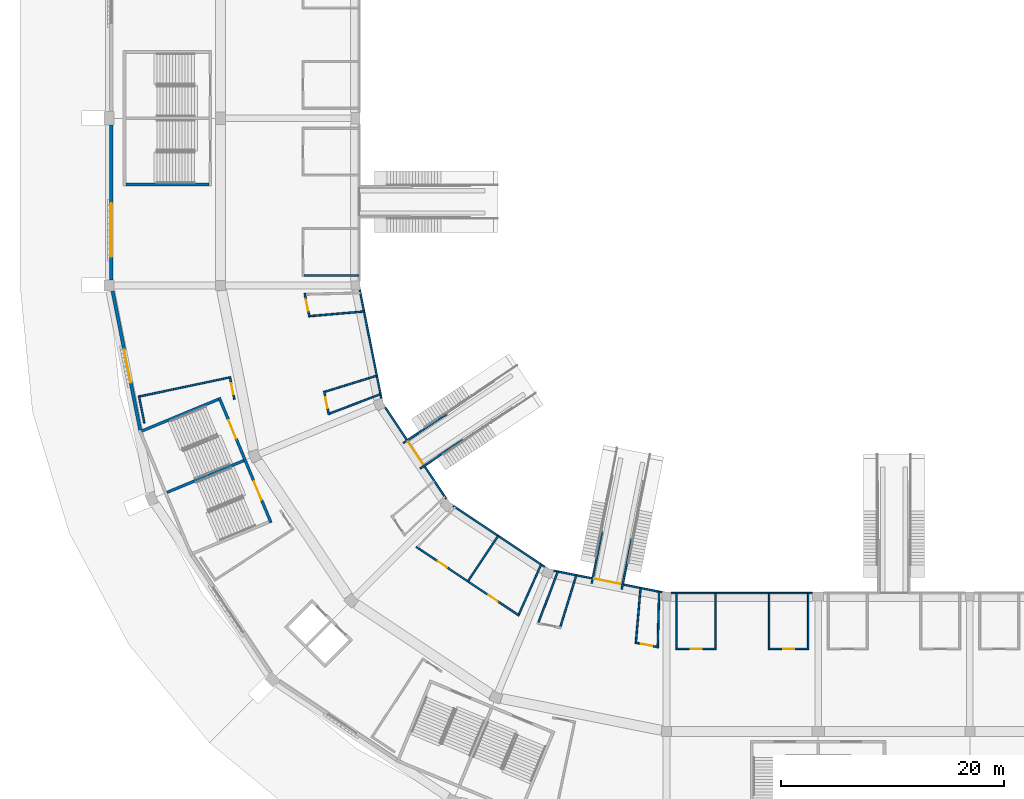
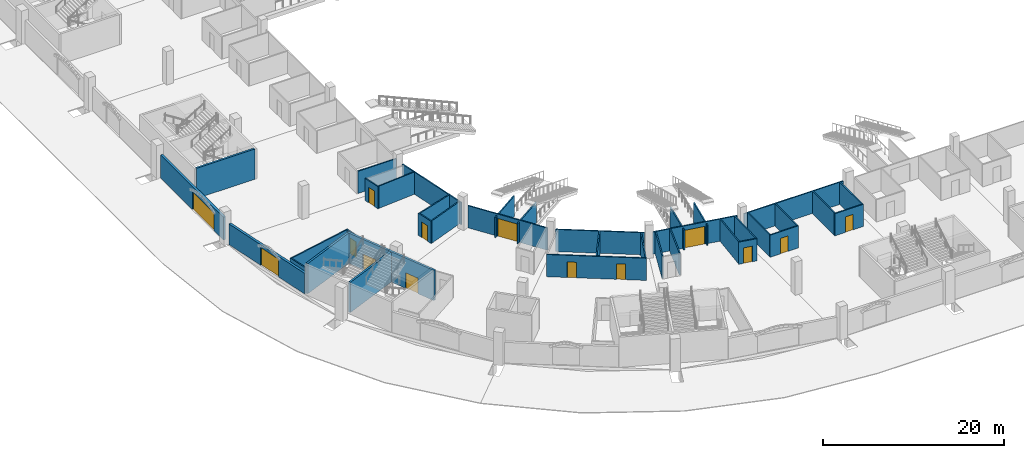
# One storey, part 26 of 175: 38 walls, 14 doors, 14 openings.
"""IFC4 building model written with IfcOpenShell, lengths in metres."""

import ifcopenshell
import ifcopenshell.guid

model = None  # the IFC model being written
_history = None  # IfcOwnerHistory: only IFC2X3 demands one
_inside = {}  # id of a spatial element -> (the spatial element, [elements in it])
_under = {}  # id of a project, library or spatial element -> (it, [spatial elements below it])
_declared = {}  # id of a project -> (the project, [libraries it declares])
_typed = {}  # id of a type object -> (the type object, [elements of that type])
_made_of = {}  # id of a material, layer set ... -> (it, [elements and type objects made of it])


def new_model(schema):
    """Start an empty IFC model of exactly this schema.

    Asked for "IFC4X3", IfcOpenShell would pick the latest addendum, in which some entities
    have other attributes; the version numbers below select the first issue.
    IFC2X3 requires an IfcOwnerHistory on every rooted entity: one is made here for all.
    """
    global model, _history
    if schema == "IFC4X3":
        model = ifcopenshell.file(schema_version=(4, 3, 0, 0))
    else:
        model = ifcopenshell.file(schema=schema)
    _inside.clear()
    _under.clear()
    _declared.clear()
    _typed.clear()
    _made_of.clear()
    _history = None
    if model.schema == "IFC2X3":
        org = make("IfcOrganization", Name="unknown")
        user = make(
            "IfcPersonAndOrganization",
            ThePerson=make("IfcPerson", FamilyName="unknown"),
            TheOrganization=org,
        )
        app = make(
            "IfcApplication",
            ApplicationDeveloper=org,
            Version="unknown",
            ApplicationFullName="unknown",
            ApplicationIdentifier="unknown",
        )
        _history = make(
            "IfcOwnerHistory",
            OwningUser=user,
            OwningApplication=app,
            ChangeAction="ADDED",
            CreationDate=0,
        )
    return model


def make(cls, **values):
    """One entity of the class cls with the attributes given. An attribute that is None is left unset."""
    return model.create_entity(
        cls, **{name: value for name, value in values.items() if value is not None}
    )


def rooted(cls, **values):
    """An entity with a GlobalId (a new one), such as an element, a storey or a relation."""
    return make(cls, GlobalId=ifcopenshell.guid.new(), OwnerHistory=_history, **values)


def si_unit(unit_type, name, prefix=None):
    """IfcSIUnit, for example si_unit("LENGTHUNIT", "METRE", prefix="MILLI")."""
    return make("IfcSIUnit", UnitType=unit_type, Prefix=prefix, Name=name)


def assignment(units):
    """IfcUnitAssignment: the units of a project."""
    return None if units is None else make("IfcUnitAssignment", Units=units)


def point(xyz):
    """IfcCartesianPoint."""
    return None if xyz is None else make("IfcCartesianPoint", Coordinates=xyz)


def direction(xyz):
    """IfcDirection."""
    return None if xyz is None else make("IfcDirection", DirectionRatios=xyz)


def frame(location, z_axis=None, x_axis=None):
    """IfcAxis2Placement3D, a coordinate frame: its origin and axes. An axis left out is left unset."""
    return make(
        "IfcAxis2Placement3D",
        Location=point(location),
        Axis=direction(z_axis),
        RefDirection=direction(x_axis),
    )


def frame_2d(location, x_axis=None):
    """IfcAxis2Placement2D, a coordinate frame in the plane: its origin and x axis."""
    return make(
        "IfcAxis2Placement2D", Location=point(location), RefDirection=direction(x_axis)
    )


def origin():
    """The frame at (0, 0, 0) with its axes left unset."""
    return frame((0.0, 0.0, 0.0))


def place(relative_to, where):
    """IfcLocalPlacement: puts the frame where relative to a parent placement (None: the world)."""
    return make(
        "IfcLocalPlacement", PlacementRelTo=relative_to, RelativePlacement=where
    )


def context(
    kind, dimensions, precision=None, world=None, true_north=None, identifier=None
):
    """IfcGeometricRepresentationContext, for example the 3D "Model" context."""
    return make(
        "IfcGeometricRepresentationContext",
        ContextIdentifier=identifier,
        ContextType=kind,
        CoordinateSpaceDimension=dimensions,
        Precision=precision,
        WorldCoordinateSystem=world,
        TrueNorth=true_north,
    )


def subcontext(parent, identifier, kind, view, scale=None):
    """IfcGeometricRepresentationSubContext, for example "Body" below "Model"."""
    return make(
        "IfcGeometricRepresentationSubContext",
        ContextIdentifier=identifier,
        ContextType=kind,
        ParentContext=parent,
        TargetScale=scale,
        TargetView=view,
    )


def project(units=None, contexts=None):
    """IfcProject with its units and contexts."""
    return rooted(
        "IfcProject",
        Name="project",
        RepresentationContexts=contexts,
        UnitsInContext=assignment(units),
    )


def spatial(cls, under=None, at=None, **own):
    """A site, building, storey or space (cls), placed at a placement, below another one or the project."""
    s = rooted(cls, ObjectPlacement=at, **own)
    if under is not None:
        _under.setdefault(under.id(), (under, []))[1].append(s)
    return s


def profile(cls, at=None, kind="AREA", **sizes):
    """A parametric profile (cls). Its sizes go by their IFC names, for example OverallWidth=200.0."""
    return make(cls, ProfileType=kind, Position=at, **sizes)


def rectangle(**sizes):
    """IfcRectangleProfileDef."""
    return profile("IfcRectangleProfileDef", **sizes)


def extrude(swept, where, along, depth):
    """IfcExtrudedAreaSolid: the profile swept, set in the frame where, extruded along a direction by depth."""
    return make(
        "IfcExtrudedAreaSolid",
        SweptArea=swept,
        Position=where,
        ExtrudedDirection=direction(along),
        Depth=depth,
    )


def shape(context_of_items, identifier, shape_type, items):
    """IfcShapeRepresentation: the items that make up one representation, for example the "Body"."""
    return make(
        "IfcShapeRepresentation",
        ContextOfItems=context_of_items,
        RepresentationIdentifier=identifier,
        RepresentationType=shape_type,
        Items=items,
    )


def material(Name=None, Category=None):
    """IfcMaterial."""
    return make("IfcMaterial", Name=Name, Category=Category)


def layer(
    of_material, thickness, ventilated=None, Name=None, Category=None, Priority=None
):
    """IfcMaterialLayer: one layer of a wall or slab, of a material (None: an air gap)."""
    return make(
        "IfcMaterialLayer",
        Material=of_material,
        LayerThickness=thickness,
        IsVentilated=ventilated,
        Name=Name,
        Category=Category,
        Priority=Priority,
    )


def layer_set(layers, Name=None):
    """IfcMaterialLayerSet."""
    return make("IfcMaterialLayerSet", MaterialLayers=layers, LayerSetName=Name)


def made_of(thing, what):
    """Note that an element or type object is made of a material, layer set ...; save() writes the relation."""
    if what is not None:
        _made_of.setdefault(what.id(), (what, []))[1].append(thing)
    return thing


def type_object(cls, material=None, **own):
    """A type object (cls), such as IfcWallType, which elements share."""
    return made_of(rooted(cls, **own), material)


def element(
    cls,
    number,
    at=None,
    inside=None,
    cuts=None,
    type_object=None,
    material=None,
    context=None,
    identifier="Body",
    shape_type=None,
    held_by="IfcProductDefinitionShape",
    body=None,
    shapes=None,
    **own,
):
    """One element of the class cls, such as IfcWall. Its Tag is "e" and its number.

    at: its placement. inside: the storey or other place that contains it. cuts: it is an
    opening in that element (IfcRelVoidsElement). A single representation is given by context,
    identifier, shape_type and body (its items); several are given by shapes. held_by: the class
    of the entity that holds the representations. save() writes the other relations.
    """
    e = rooted(cls, Tag="e%d" % number, ObjectPlacement=at, **own)
    if body is not None:
        shapes = [shape(context, identifier, shape_type, body)]
    if shapes is not None:
        e.Representation = make(held_by, Representations=shapes)
    if inside is not None:
        _inside.setdefault(inside.id(), (inside, []))[1].append(e)
    if cuts is not None:
        rooted(
            "IfcRelVoidsElement", RelatingBuildingElement=cuts, RelatedOpeningElement=e
        )
    if type_object is not None:
        _typed.setdefault(type_object.id(), (type_object, []))[1].append(e)
    return made_of(e, material)


def fill(opening, filler):
    """IfcRelFillsElement: the door or window that sits in an opening."""
    return rooted(
        "IfcRelFillsElement",
        RelatingOpeningElement=opening,
        RelatedBuildingElement=filler,
    )


def aggregate(whole, parts):
    """IfcRelAggregates: a whole, such as a stair, and the parts it consists of."""
    return rooted("IfcRelAggregates", RelatingObject=whole, RelatedObjects=parts)


def save(model, path):
    """Write the relations noted so far, then the file.

    IfcRelAggregates (storeys below a building ...), IfcRelContainedInSpatialStructure (elements
    in a storey), IfcRelDefinesByType, IfcRelAssociatesMaterial and IfcRelDeclares: one each for
    every whole, place, type object, material and project.
    """
    for whole, parts in _under.values():
        aggregate(whole, parts)
    for where, things in _inside.values():
        rooted(
            "IfcRelContainedInSpatialStructure",
            RelatedElements=things,
            RelatingStructure=where,
        )
    for kind, things in _typed.values():
        rooted("IfcRelDefinesByType", RelatedObjects=things, RelatingType=kind)
    for what, things in _made_of.values():
        rooted("IfcRelAssociatesMaterial", RelatedObjects=things, RelatingMaterial=what)
    for by, libraries in _declared.values():
        rooted("IfcRelDeclares", RelatingContext=by, RelatedDefinitions=libraries)
    model.write(path)


model = new_model("IFC4")

# Units and contexts
model_context = context("Model", 3, precision=1e-05, world=origin(), true_north=direction((0.0, 1.0)))
body_context = subcontext(model_context, "Body", "Model", "MODEL_VIEW")
ifc_project = project(units=[si_unit("LENGTHUNIT", "METRE"), si_unit("AREAUNIT", "SQUARE_METRE"), si_unit("VOLUMEUNIT", "CUBIC_METRE"), si_unit("PLANEANGLEUNIT", "RADIAN"), si_unit("MASSUNIT", "GRAM", prefix="KILO")], contexts=[model_context])

# Site, building, storey
site_placement = place(None, origin())
site = spatial("IfcSite", under=ifc_project, at=site_placement, CompositionType="ELEMENT")
building_placement = place(site_placement, origin())
building = spatial("IfcBuilding", under=site, at=building_placement, Name="Ogive Plaza Stadium", CompositionType="ELEMENT")
storey_placement = place(building_placement, origin())
storey = spatial("IfcBuildingStorey", under=building, at=storey_placement, Name="L00", CompositionType="ELEMENT", Elevation=0.0)

# Wall, opening, door
ifc_material_1 = material(Name="Masonry blockwork", Category="masonry")
ifc_layer_1 = layer(ifc_material_1, 0.14990234375)
ifc_layer_set_1 = layer_set([ifc_layer_1], Name="Blockwork wall 150")
wall_type_1 = type_object("IfcWallType", Name="Blockwork wall 150", PredefinedType="SOLIDWALL", material=ifc_layer_set_1)
wall_1_placement = place(storey_placement, frame((-21.22509765625, -85.10009765625, 0.0), z_axis=(0.0, 0.0, 1.0), x_axis=(-1.0, 0.0, 0.0)))
wall_1 = element("IfcWall", 1, at=wall_1_placement, inside=storey, type_object=wall_type_1, Name="Wall L00 B16", PredefinedType="SOLIDWALL", context=body_context, shape_type="SweptSolid", body=[
    extrude(rectangle(XDim=3.64990234375, YDim=0.14990234375, at=frame_2d((1.824951171875, 0.0))), origin(), (0.0, 0.0, 1.0), 3.0),
])
opening_1_placement = place(wall_1_placement, frame((1.324951171875, 0.0, 0.0)))
opening_1 = element("IfcOpeningElement", 2, at=opening_1_placement, cuts=wall_1, Name="Opening D0409", PredefinedType="OPENING", context=body_context, shape_type="SweptSolid", body=[
    extrude(rectangle(XDim=1.0, YDim=2.10009765625, at=frame_2d((0.5, 1.050048828125))), frame((0.0, 0.074951171875, 0.0), z_axis=(0.0, -1.0, 0.0), x_axis=(1.0, 0.0, 0.0)), (0.0, 0.0, 1.0), 0.14990234375),
])
ifc_material_2 = material(Name="Steel ASTM A572 Grade 50", Category="steel")
door_type_1 = type_object("IfcDoorType", Name="Door 1000 x 2100", OperationType="SINGLE_SWING_LEFT", PredefinedType="DOOR", material=ifc_material_2)
door_1_placement = place(opening_1_placement, origin())
door_1 = element("IfcDoor", 3, at=door_1_placement, inside=storey, type_object=door_type_1, Name="Concession Stand B16 door", OperationType="SINGLE_SWING_RIGHT", OverallHeight=2.10009765625, OverallWidth=1.0, PredefinedType="DOOR", context=body_context, shape_type="SweptSolid", body=[
    extrude(rectangle(XDim=1.0, YDim=2.10009765625, at=frame_2d((0.5, 1.050048828125))), frame((0.0, 0.02490234375, 0.0), z_axis=(0.0, -1.0, 0.0), x_axis=(1.0, 0.0, 0.0)), (0.0, 0.0, 1.0), 0.050048828125),
])
fill(opening_1, door_1)

# Walls
for number, where, z_axis, x_axis, name in (
    (4, (-21.300048828125, -80.10009765625, 0.0), (0.0, 0.0, 1.0), (0.0, -1.0, 0.0), "Wall L00 B16"),
    (5, (-24.800048828125, -80.10009765625, 0.0), (0.0, 0.0, 1.0), (0.0, -1.0, 0.0), "Wall L00 B16"),
):
    element("IfcWall", number, at=place(storey_placement, frame(where, z_axis=z_axis, x_axis=x_axis)), inside=storey, type_object=wall_type_1, Name=name, PredefinedType="SOLIDWALL", context=body_context, shape_type="SweptSolid", body=[
        extrude(rectangle(XDim=4.9248046875, YDim=0.14990234375, at=frame_2d((2.46240234375, 0.0))), origin(), (0.0, 0.0, 1.0), 3.0),
    ])

# Wall, opening, door
wall_2_placement = place(storey_placement, frame((-29.52490234375, -85.10009765625, 0.0), z_axis=(0.0, 0.0, 1.0), x_axis=(-1.0, 0.0, 0.0)))
wall_2 = element("IfcWall", 6, at=wall_2_placement, inside=storey, type_object=wall_type_1, Name="Wall L00 B16", PredefinedType="SOLIDWALL", context=body_context, shape_type="SweptSolid", body=[
    extrude(rectangle(XDim=3.650146484375, YDim=0.14990234375, at=frame_2d((1.8251953125, 0.0))), origin(), (0.0, 0.0, 1.0), 3.0),
])
opening_2_placement = place(wall_2_placement, frame((1.324951171875, 0.0, 0.0)))
opening_2 = element("IfcOpeningElement", 7, at=opening_2_placement, cuts=wall_2, Name="Opening D0410", PredefinedType="OPENING", context=body_context, shape_type="SweptSolid", body=[
    extrude(rectangle(XDim=1.0, YDim=2.10009765625, at=frame_2d((0.5, 1.050048828125))), frame((0.0, 0.074951171875, 0.0), z_axis=(0.0, -1.0, 0.0), x_axis=(1.0, 0.0, 0.0)), (0.0, 0.0, 1.0), 0.14990234375),
])
door_2_placement = place(opening_2_placement, origin())
door_2 = element("IfcDoor", 8, at=door_2_placement, inside=storey, type_object=door_type_1, Name="Concession Stand B16 door", OperationType="SINGLE_SWING_LEFT", OverallHeight=2.10009765625, OverallWidth=1.0, PredefinedType="DOOR", context=body_context, shape_type="SweptSolid", body=[
    extrude(rectangle(XDim=1.0, YDim=2.10009765625, at=frame_2d((0.5, 1.050048828125))), frame((0.0, 0.02490234375, 0.0), z_axis=(0.0, -1.0, 0.0), x_axis=(1.0, 0.0, 0.0)), (0.0, 0.0, 1.0), 0.050048828125),
])
fill(opening_2, door_2)

# Walls
for number, where, z_axis, x_axis, name in (
    (9, (-29.60009765625, -80.10009765625, 0.0), (0.0, 0.0, 1.0), (0.0, -1.0, 0.0), "Wall L00 B16"),
    (10, (-33.10009765625, -80.10009765625, 0.0), (0.0, 0.0, 1.0), (0.0, -1.0, 0.0), "Wall L00 B16"),
):
    element("IfcWall", number, at=place(storey_placement, frame(where, z_axis=z_axis, x_axis=x_axis)), inside=storey, type_object=wall_type_1, Name=name, PredefinedType="SOLIDWALL", context=body_context, shape_type="SweptSolid", body=[
        extrude(rectangle(XDim=4.9248046875, YDim=0.14990234375, at=frame_2d((2.46240234375, 0.0))), origin(), (0.0, 0.0, 1.0), 3.0),
    ])
wall_3_placement = place(storey_placement, frame((-43.752685546875, -78.16015625, 0.0), z_axis=(0.0, 0.0, 1.0), x_axis=(-0.355265667312, -0.934765374642, 0.0)))
element("IfcWall", 11, at=wall_3_placement, inside=storey, type_object=wall_type_1, Name="Wall L00 B17", PredefinedType="SOLIDWALL", context=body_context, shape_type="SweptSolid", body=[
    extrude(rectangle(XDim=4.8984375, YDim=0.14990234375, at=frame_2d((2.44921875, 0.0))), origin(), (0.0, 0.0, 1.0), 3.0),
])
wall_4_placement = place(storey_placement, frame((-42.088623046875, -78.490966796875, 0.0), z_axis=(0.0, 0.0, 1.0), x_axis=(-0.297150057793, -0.954830792944, 0.0)))
element("IfcWall", 12, at=wall_4_placement, inside=storey, type_object=wall_type_1, Name="Wall L00 B17", PredefinedType="SOLIDWALL", context=body_context, shape_type="SweptSolid", body=[
    extrude(rectangle(XDim=4.857421875, YDim=0.14990234375, at=frame_2d((2.4287109375, 0.0))), origin(), (0.0, 0.0, 1.0), 3.0),
])

# Wall, opening, door
wall_5_placement = place(storey_placement, frame((-36.83544921875, -84.5361328125, 0.0), z_axis=(0.0, 0.0, 1.0), x_axis=(0.980792464832, -0.19505419998, 0.0)))
wall_5 = element("IfcWall", 13, at=wall_5_placement, inside=storey, type_object=wall_type_1, Name="Wall L00 B17", PredefinedType="SOLIDWALL", context=body_context, shape_type="SweptSolid", body=[
    extrude(rectangle(XDim=2.16650390625, YDim=0.14990234375, at=frame_2d((1.083251953125, 0.0))), origin(), (0.0, 0.0, 1.0), 3.0),
])
opening_3_placement = place(wall_5_placement, frame((0.583251953125, 0.0, 0.0)))
opening_3 = element("IfcOpeningElement", 14, at=opening_3_placement, cuts=wall_5, Name="Opening D0412", PredefinedType="OPENING", context=body_context, shape_type="SweptSolid", body=[
    extrude(rectangle(XDim=1.0, YDim=2.10009765625, at=frame_2d((0.5, 1.050048828125))), frame((0.0, 0.074951171875, 0.0), z_axis=(0.0, -1.0, 0.0), x_axis=(1.0, 0.0, 0.0)), (0.0, 0.0, 1.0), 0.14990234375),
])
door_3_placement = place(opening_3_placement, origin())
door_3 = element("IfcDoor", 15, at=door_3_placement, inside=storey, type_object=door_type_1, Name="Concession Stand B17 door", OperationType="SINGLE_SWING_LEFT", OverallHeight=2.10009765625, OverallWidth=1.0, PredefinedType="DOOR", context=body_context, shape_type="SweptSolid", body=[
    extrude(rectangle(XDim=1.0, YDim=2.10009765625, at=frame_2d((0.5, 1.050048828125))), frame((0.0, 0.02490234375, 0.0), z_axis=(0.0, -1.0, 0.0), x_axis=(1.0, 0.0, 0.0)), (0.0, 0.0, 1.0), 0.050048828125),
])
fill(opening_3, door_3)

# Walls
wall_6_placement = place(storey_placement, frame((-36.3330078125, -79.635986328125, 0.0), z_axis=(0.0, 0.0, 1.0), x_axis=(-0.085651910167, -0.996325122781, 0.0)))
element("IfcWall", 16, at=wall_6_placement, inside=storey, type_object=wall_type_1, Name="Wall L00 B17", PredefinedType="SOLIDWALL", context=body_context, shape_type="SweptSolid", body=[
    extrude(rectangle(XDim=4.85986328125, YDim=0.14990234375, at=frame_2d((2.429931640625, 0.0))), origin(), (0.0, 0.0, 1.0), 3.0),
])
wall_7_placement = place(storey_placement, frame((-34.6689453125, -79.967041015625, 0.0), z_axis=(0.0, 0.0, 1.0), x_axis=(-0.024351431726, -0.999703459918, 0.0)))
element("IfcWall", 17, at=wall_7_placement, inside=storey, type_object=wall_type_1, Name="Wall L00 B17", PredefinedType="SOLIDWALL", context=body_context, shape_type="SweptSolid", body=[
    extrude(rectangle(XDim=4.902587890625, YDim=0.14990234375, at=frame_2d((2.451171875, 0.0))), origin(), (0.0, 0.0, 1.0), 3.0),
])

# Wall, openings, doors
wall_8_placement = place(storey_placement, frame((-47.218505859375, -82.1220703125, 0.0), z_axis=(0.0, 0.0, 1.0), x_axis=(-0.831461141198, 0.555582910715, 0.0)))
wall_8 = element("IfcWall", 18, at=wall_8_placement, inside=storey, type_object=wall_type_1, Name="Wall L00 B18", PredefinedType="SOLIDWALL", context=body_context, shape_type="SweptSolid", body=[
    extrude(rectangle(XDim=11.101806640625, YDim=0.14990234375, at=frame_2d((5.55078125, 0.0))), origin(), (0.0, 0.0, 1.0), 3.0),
])
opening_4_placement = place(wall_8_placement, frame((2.316162109375, 0.0, 0.0)))
opening_4 = element("IfcOpeningElement", 19, at=opening_4_placement, cuts=wall_8, Name="Opening D0414", PredefinedType="OPENING", context=body_context, shape_type="SweptSolid", body=[
    extrude(rectangle(XDim=1.0, YDim=2.10009765625, at=frame_2d((0.5, 1.050048828125))), frame((0.0, 0.074951171875, 0.0), z_axis=(0.0, -1.0, 0.0), x_axis=(1.0, 0.0, 0.0)), (0.0, 0.0, 1.0), 0.14990234375),
])
opening_5_placement = place(wall_8_placement, frame((7.785888671875, 0.0, 0.0)))
opening_5 = element("IfcOpeningElement", 20, at=opening_5_placement, cuts=wall_8, Name="Opening D0415", PredefinedType="OPENING", context=body_context, shape_type="SweptSolid", body=[
    extrude(rectangle(XDim=1.0, YDim=2.10009765625, at=frame_2d((0.5, 1.050048828125))), frame((0.0, 0.074951171875, 0.0), z_axis=(0.0, -1.0, 0.0), x_axis=(1.0, 0.0, 0.0)), (0.0, 0.0, 1.0), 0.14990234375),
])
door_4_placement = place(opening_4_placement, origin())
door_4 = element("IfcDoor", 21, at=door_4_placement, inside=storey, type_object=door_type_1, Name="First Aid Room B18 door", OperationType="SINGLE_SWING_LEFT", OverallHeight=2.10009765625, OverallWidth=1.0, PredefinedType="DOOR", context=body_context, shape_type="SweptSolid", body=[
    extrude(rectangle(XDim=1.0, YDim=2.10009765625, at=frame_2d((0.5, 1.050048828125))), frame((0.0, 0.02490234375, 0.0), z_axis=(0.0, -1.0, 0.0), x_axis=(1.0, 0.0, 0.0)), (0.0, 0.0, 1.0), 0.050048828125),
])
fill(opening_4, door_4)
door_5_placement = place(opening_5_placement, origin())
door_5 = element("IfcDoor", 22, at=door_5_placement, inside=storey, type_object=door_type_1, Name="Ticket and Retail Kiosk B18 door", OperationType="SINGLE_SWING_RIGHT", OverallHeight=2.10009765625, OverallWidth=1.0, PredefinedType="DOOR", context=body_context, shape_type="SweptSolid", body=[
    extrude(rectangle(XDim=1.0, YDim=2.10009765625, at=frame_2d((0.5, 1.050048828125))), frame((0.0, 0.02490234375, 0.0), z_axis=(0.0, -1.0, 0.0), x_axis=(1.0, 0.0, 0.0)), (0.0, 0.0, 1.0), 0.050048828125),
])
fill(opening_5, door_5)

# Walls
wall_9_placement = place(storey_placement, frame((-45.248291015625, -77.54052734375, 0.0), z_axis=(0.0, 0.0, 1.0), x_axis=(-0.409747004505, -0.912199206478, 0.0)))
element("IfcWall", 23, at=wall_9_placement, inside=storey, type_object=wall_type_1, Name="Wall L00 B18", PredefinedType="SOLIDWALL", context=body_context, shape_type="SweptSolid", body=[
    extrude(rectangle(XDim=4.8984375, YDim=0.14990234375, at=frame_2d((2.44921875, 0.0))), origin(), (0.0, 0.0, 1.0), 3.0),
])
wall_10_placement = place(storey_placement, frame((-49.0986328125, -74.9677734375, 0.0), z_axis=(0.0, 0.0, 1.0), x_axis=(-0.557740720303, -0.830015234147, 0.0)))
element("IfcWall", 24, at=wall_10_placement, inside=storey, type_object=wall_type_1, Name="Wall L00 B18", PredefinedType="SOLIDWALL", context=body_context, shape_type="SweptSolid", body=[
    extrude(rectangle(XDim=4.830322265625, YDim=0.14990234375, at=frame_2d((2.4150390625, 0.0))), origin(), (0.0, 0.0, 1.0), 3.0),
])

# Wall, opening, door
wall_11_placement = place(storey_placement, frame((-64.292724609375, -64.09912109375, 0.0), z_axis=(0.0, 0.0, 1.0), x_axis=(-0.195075759432, 0.980788176969, 0.0)))
wall_11 = element("IfcWall", 25, at=wall_11_placement, inside=storey, type_object=wall_type_1, Name="Wall L00 B20", PredefinedType="SOLIDWALL", context=body_context, shape_type="SweptSolid", body=[
    extrude(rectangle(XDim=2.166259765625, YDim=0.14990234375, at=frame_2d((1.0830078125, 0.0))), origin(), (0.0, 0.0, 1.0), 3.0),
])
opening_6_placement = place(wall_11_placement, frame((0.583251953125, 0.0, 0.0)))
opening_6 = element("IfcOpeningElement", 26, at=opening_6_placement, cuts=wall_11, Name="Opening D0419", PredefinedType="OPENING", context=body_context, shape_type="SweptSolid", body=[
    extrude(rectangle(XDim=1.0, YDim=2.10009765625, at=frame_2d((0.5, 1.050048828125))), frame((0.0, 0.074951171875, 0.0), z_axis=(0.0, -1.0, 0.0), x_axis=(1.0, 0.0, 0.0)), (0.0, 0.0, 1.0), 0.14990234375),
])
door_6_placement = place(opening_6_placement, origin())
door_6 = element("IfcDoor", 27, at=door_6_placement, inside=storey, type_object=door_type_1, Name="Concession Stand B20 door", OperationType="SINGLE_SWING_LEFT", OverallHeight=2.10009765625, OverallWidth=1.0, PredefinedType="DOOR", context=body_context, shape_type="SweptSolid", body=[
    extrude(rectangle(XDim=1.0, YDim=2.10009765625, at=frame_2d((0.5, 1.050048828125))), frame((0.0, 0.02490234375, 0.0), z_axis=(0.0, -1.0, 0.0), x_axis=(1.0, 0.0, 0.0)), (0.0, 0.0, 1.0), 0.050048828125),
])
fill(opening_6, door_6)

# Walls
wall_12_placement = place(storey_placement, frame((-59.66015625, -62.252685546875, 0.0), z_axis=(0.0, 0.0, 1.0), x_axis=(-0.934765374642, -0.355265667312, 0.0)))
element("IfcWall", 28, at=wall_12_placement, inside=storey, type_object=wall_type_1, Name="Wall L00 B20", PredefinedType="SOLIDWALL", context=body_context, shape_type="SweptSolid", body=[
    extrude(rectangle(XDim=4.8984375, YDim=0.14990234375, at=frame_2d((2.44921875, 0.0))), origin(), (0.0, 0.0, 1.0), 3.0),
])
wall_13_placement = place(storey_placement, frame((-59.990966796875, -60.588623046875, 0.0), z_axis=(0.0, 0.0, 1.0), x_axis=(-0.954830792944, -0.297150057793, 0.0)))
element("IfcWall", 29, at=wall_13_placement, inside=storey, type_object=wall_type_1, Name="Wall L00 B20", PredefinedType="SOLIDWALL", context=body_context, shape_type="SweptSolid", body=[
    extrude(rectangle(XDim=4.857421875, YDim=0.14990234375, at=frame_2d((2.4287109375, 0.0))), origin(), (0.0, 0.0, 1.0), 3.0),
])

# Wall, opening, door
wall_14_placement = place(storey_placement, frame((-66.0361328125, -55.33544921875, 0.0), z_axis=(0.0, 0.0, 1.0), x_axis=(-0.19505419998, 0.980792464832, 0.0)))
wall_14 = element("IfcWall", 30, at=wall_14_placement, inside=storey, type_object=wall_type_1, Name="Wall L00 B20", PredefinedType="SOLIDWALL", context=body_context, shape_type="SweptSolid", body=[
    extrude(rectangle(XDim=2.16650390625, YDim=0.14990234375, at=frame_2d((1.083251953125, 0.0))), origin(), (0.0, 0.0, 1.0), 3.0),
])
opening_7_placement = place(wall_14_placement, frame((0.583251953125, 0.0, 0.0)))
opening_7 = element("IfcOpeningElement", 31, at=opening_7_placement, cuts=wall_14, Name="Opening D0420", PredefinedType="OPENING", context=body_context, shape_type="SweptSolid", body=[
    extrude(rectangle(XDim=1.0, YDim=2.10009765625, at=frame_2d((0.5, 1.050048828125))), frame((0.0, 0.074951171875, 0.0), z_axis=(0.0, -1.0, 0.0), x_axis=(1.0, 0.0, 0.0)), (0.0, 0.0, 1.0), 0.14990234375),
])
door_7_placement = place(opening_7_placement, origin())
door_7 = element("IfcDoor", 32, at=door_7_placement, inside=storey, type_object=door_type_1, Name="Concession Stand B20 door", OperationType="SINGLE_SWING_RIGHT", OverallHeight=2.10009765625, OverallWidth=1.0, PredefinedType="DOOR", context=body_context, shape_type="SweptSolid", body=[
    extrude(rectangle(XDim=1.0, YDim=2.10009765625, at=frame_2d((0.5, 1.050048828125))), frame((0.0, 0.02490234375, 0.0), z_axis=(0.0, -1.0, 0.0), x_axis=(1.0, 0.0, 0.0)), (0.0, 0.0, 1.0), 0.050048828125),
])
fill(opening_7, door_7)

# Wall
wall_15_placement = place(storey_placement, frame((-61.135986328125, -54.8330078125, 0.0), z_axis=(0.0, 0.0, 1.0), x_axis=(-0.996325122781, -0.085651910167, 0.0)))
element("IfcWall", 33, at=wall_15_placement, inside=storey, type_object=wall_type_1, Name="Wall L00 B20", PredefinedType="SOLIDWALL", context=body_context, shape_type="SweptSolid", body=[
    extrude(rectangle(XDim=4.85986328125, YDim=0.14990234375, at=frame_2d((2.429931640625, 0.0))), origin(), (0.0, 0.0, 1.0), 3.0),
])

# Wall, opening, door
wall_16_placement = place(storey_placement, frame((-72.767578125, -62.71728515625, 0.0), z_axis=(0.0, 0.0, 1.0), x_axis=(-0.195168143279, 0.980769797582, 0.0)))
wall_16 = element("IfcWall", 34, at=wall_16_placement, inside=storey, type_object=wall_type_1, Name="Wall L00 B20", PredefinedType="SOLIDWALL", context=body_context, shape_type="SweptSolid", body=[
    extrude(rectangle(XDim=2.080322265625, YDim=0.14990234375, at=frame_2d((1.0400390625, 0.0))), origin(), (0.0, 0.0, 1.0), 3.0),
])
opening_8_placement = place(wall_16_placement, frame((0.47216796875, 0.0, 0.0)))
opening_8 = element("IfcOpeningElement", 35, at=opening_8_placement, cuts=wall_16, Name="Opening D0421", PredefinedType="OPENING", context=body_context, shape_type="SweptSolid", body=[
    extrude(rectangle(XDim=1.0, YDim=2.10009765625, at=frame_2d((0.5, 1.050048828125))), frame((0.0, 0.074951171875, 0.0), z_axis=(0.0, -1.0, 0.0), x_axis=(1.0, 0.0, 0.0)), (0.0, 0.0, 1.0), 0.14990234375),
])
ifc_material_3 = material(Name="Steel ASTM A572 Grade 50", Category="steel")
door_type_2 = type_object("IfcDoorType", Name="Fire door FD60 1000 x 2100", OperationType="SINGLE_SWING_LEFT", PredefinedType="DOOR", material=ifc_material_3)
door_8_placement = place(opening_8_placement, origin())
door_8 = element("IfcDoor", 36, at=door_8_placement, inside=storey, type_object=door_type_2, Name="Cleaner's Store B20 door", OperationType="SINGLE_SWING_LEFT", OverallHeight=2.10009765625, OverallWidth=1.0, PredefinedType="DOOR", context=body_context, shape_type="SweptSolid", body=[
    extrude(rectangle(XDim=1.0, YDim=2.10009765625, at=frame_2d((0.5, 1.050048828125))), frame((0.0, 0.02490234375, 0.0), z_axis=(0.0, -1.0, 0.0), x_axis=(1.0, 0.0, 0.0)), (0.0, 0.0, 1.0), 0.050048828125),
])
fill(opening_8, door_8)

# Walls
wall_17_placement = place(storey_placement, frame((-80.84423828125, -64.845947265625, 0.0), z_axis=(0.0, 0.0, 1.0), x_axis=(-0.195126097309, 0.980778163577, 0.0)))
element("IfcWall", 37, at=wall_17_placement, inside=storey, type_object=wall_type_1, Name="Wall L00 B20", PredefinedType="SOLIDWALL", context=body_context, shape_type="SweptSolid", body=[
    extrude(rectangle(XDim=2.513671875, YDim=0.14990234375, at=frame_2d((1.2568359375, 0.0))), origin(), (0.0, 0.0, 1.0), 3.0),
])
wall_18_placement = place(storey_placement, frame((-73.232177734375, -60.7587890625, 0.0), z_axis=(0.0, 0.0, 1.0), x_axis=(-0.978549468707, -0.206011983374, 0.0)))
element("IfcWall", 38, at=wall_18_placement, inside=storey, type_object=wall_type_1, Name="Wall L00 B20", PredefinedType="SOLIDWALL", context=body_context, shape_type="SweptSolid", body=[
    extrude(rectangle(XDim=8.190185546875, YDim=0.14990234375, at=frame_2d((4.09521484375, 0.0))), origin(), (0.0, 0.0, 1.0), 3.0),
])
wall_19_placement = place(storey_placement, frame((-61.60009765625, -51.60009765625, 0.0), z_axis=(0.0, 0.0, 1.0), x_axis=(-1.0, 0.0, 0.0)))
element("IfcWall", 39, at=wall_19_placement, inside=storey, type_object=wall_type_1, Name="Wall L00 B21", PredefinedType="SOLIDWALL", context=body_context, shape_type="SweptSolid", body=[
    extrude(rectangle(XDim=4.9248046875, YDim=0.14990234375, at=frame_2d((2.46240234375, 0.0))), origin(), (0.0, 0.0, 1.0), 3.0),
])
wall_20_placement = place(storey_placement, frame((-20.89990234375, -80.10009765625, 0.0), z_axis=(0.0, 0.0, 1.0), x_axis=(-1.0, 0.0, 0.0)))
element("IfcWall", 40, at=wall_20_placement, inside=storey, type_object=wall_type_1, Name="Stand rear wall B16", PredefinedType="SOLIDWALL", context=body_context, shape_type="SweptSolid", body=[
    extrude(rectangle(XDim=12.7001953125, YDim=0.14990234375, at=frame_2d((6.35009765625, 0.0))), origin(), (0.0, 0.0, 1.0), 3.0),
])

# Wall, opening, door
wall_21_placement = place(storey_placement, frame((-34.39990234375, -80.0205078125, 0.0), z_axis=(0.0, 0.0, 1.0), x_axis=(-0.980784963798, 0.195091913691, 0.0)))
wall_21 = element("IfcWall", 41, at=wall_21_placement, inside=storey, type_object=wall_type_1, Name="Stand rear wall B17", PredefinedType="SOLIDWALL", context=body_context, shape_type="SweptSolid", body=[
    extrude(rectangle(XDim=9.90234375, YDim=0.14990234375, at=frame_2d((4.951171875, 0.0))), origin(), (0.0, 0.0, 1.0), 3.0),
])
opening_9_placement = place(wall_21_placement, frame((3.806396484375, 0.0, 0.0)))
opening_9 = element("IfcOpeningElement", 42, at=opening_9_placement, cuts=wall_21, Name="Opening D1045", PredefinedType="OPENING", context=body_context, shape_type="SweptSolid", body=[
    extrude(rectangle(XDim=2.39990234375, YDim=2.39990234375, at=frame_2d((1.199951171875, 1.199951171875))), frame((0.0, 0.074951171875, 0.0), z_axis=(0.0, -1.0, 0.0), x_axis=(1.0, 0.0, 0.0)), (0.0, 0.0, 1.0), 0.14990234375),
])
ifc_material_4 = material(Name="Steel ASTM A572 Grade 50", Category="steel")
door_type_3 = type_object("IfcDoorType", Name="Service door pair 2400 x 2400", OperationType="DOUBLE_DOOR_SINGLE_SWING", PredefinedType="DOOR", material=ifc_material_4)
door_9_placement = place(opening_9_placement, origin())
door_9 = element("IfcDoor", 43, at=door_9_placement, inside=storey, type_object=door_type_3, Name="Vomitory portal door B17", OperationType="DOUBLE_DOOR_SINGLE_SWING", OverallHeight=2.39990234375, OverallWidth=2.39990234375, PredefinedType="DOOR", context=body_context, shape_type="SweptSolid", body=[
    extrude(rectangle(XDim=2.39990234375, YDim=2.39990234375, at=frame_2d((1.199951171875, 1.199951171875))), frame((0.0, 0.02490234375, 0.0), z_axis=(0.0, -1.0, 0.0), x_axis=(1.0, 0.0, 0.0)), (0.0, 0.0, 1.0), 0.050048828125),
])
fill(opening_9, door_9)

# Wall
wall_22_placement = place(storey_placement, frame((-44.943603515625, -77.744140625, 0.0), z_axis=(0.0, 0.0, 1.0), x_axis=(-0.83147031613, 0.555569179667, 0.0)))
element("IfcWall", 44, at=wall_22_placement, inside=storey, type_object=wall_type_1, Name="Stand rear wall B18", PredefinedType="SOLIDWALL", context=body_context, shape_type="SweptSolid", body=[
    extrude(rectangle(XDim=9.851318359375, YDim=0.14990234375, at=frame_2d((4.92578125, 0.0))), origin(), (0.0, 0.0, 1.0), 3.0),
])

# Wall, opening, door
wall_23_placement = place(storey_placement, frame((-53.77099609375, -71.634765625, 0.0), z_axis=(0.0, 0.0, 1.0), x_axis=(-0.555569179667, 0.83147031613, 0.0)))
wall_23 = element("IfcWall", 45, at=wall_23_placement, inside=storey, type_object=wall_type_1, Name="Stand rear wall B19", PredefinedType="SOLIDWALL", context=body_context, shape_type="SweptSolid", body=[
    extrude(rectangle(XDim=9.851318359375, YDim=0.14990234375, at=frame_2d((4.92578125, 0.0))), origin(), (0.0, 0.0, 1.0), 3.0),
])
opening_10_placement = place(wall_23_placement, frame((3.755615234375, 0.0, 0.0)))
opening_10 = element("IfcOpeningElement", 46, at=opening_10_placement, cuts=wall_23, Name="Opening D1046", PredefinedType="OPENING", context=body_context, shape_type="SweptSolid", body=[
    extrude(rectangle(XDim=2.39990234375, YDim=2.39990234375, at=frame_2d((1.199951171875, 1.199951171875))), frame((0.0, 0.074951171875, 0.0), z_axis=(0.0, -1.0, 0.0), x_axis=(1.0, 0.0, 0.0)), (0.0, 0.0, 1.0), 0.14990234375),
])
door_10_placement = place(opening_10_placement, origin())
door_10 = element("IfcDoor", 47, at=door_10_placement, inside=storey, type_object=door_type_3, Name="Vomitory portal door B19", OperationType="DOUBLE_DOOR_SINGLE_SWING", OverallHeight=2.39990234375, OverallWidth=2.39990234375, PredefinedType="DOOR", context=body_context, shape_type="SweptSolid", body=[
    extrude(rectangle(XDim=2.39990234375, YDim=2.39990234375, at=frame_2d((1.199951171875, 1.199951171875))), frame((0.0, 0.02490234375, 0.0), z_axis=(0.0, -1.0, 0.0), x_axis=(1.0, 0.0, 0.0)), (0.0, 0.0, 1.0), 0.050048828125),
])
fill(opening_10, door_10)

# Wall
wall_24_placement = place(storey_placement, frame((-59.588623046875, -62.612060546875, 0.0), z_axis=(0.0, 0.0, 1.0), x_axis=(-0.195091913691, 0.980784963798, 0.0)))
element("IfcWall", 48, at=wall_24_placement, inside=storey, type_object=wall_type_1, Name="Stand rear wall B20", PredefinedType="SOLIDWALL", context=body_context, shape_type="SweptSolid", body=[
    extrude(rectangle(XDim=9.90234375, YDim=0.14990234375, at=frame_2d((4.951171875, 0.0))), origin(), (0.0, 0.0, 1.0), 3.0),
])

# Wall, openings, doors
ifc_material_5 = material(Name="Concrete C40/50", Category="concrete")
ifc_layer_2 = layer(ifc_material_5, 0.25)
ifc_layer_set_2 = layer_set([ifc_layer_2], Name="Concrete C40/50")
wall_type_2 = type_object("IfcWallType", Name="Core wall 250", PredefinedType="SHEAR", material=ifc_layer_set_2)
wall_25_placement = place(storey_placement, frame((-74.134521484375, -62.548828125, 0.0), z_axis=(0.0, 0.0, 1.0), x_axis=(0.382688386133, -0.923877480578, 0.0)))
wall_25 = element("IfcWall", 49, at=wall_25_placement, inside=storey, type_object=wall_type_2, Name="Stair core R20 inner wall", PredefinedType="SHEAR", context=body_context, shape_type="SweptSolid", body=[
    extrude(rectangle(XDim=12.14990234375, YDim=0.25, at=frame_2d((6.074951171875, 0.0))), origin(), (0.0, 0.0, 1.0), 4.090087890625),
])
opening_11_placement = place(wall_25_placement, frame((2.199951171875, 0.0, 0.0)))
opening_11 = element("IfcOpeningElement", 50, at=opening_11_placement, cuts=wall_25, Name="Opening D0157", PredefinedType="OPENING", context=body_context, shape_type="SweptSolid", body=[
    extrude(rectangle(XDim=1.800048828125, YDim=2.10009765625, at=frame_2d((0.89990234375, 1.050048828125))), frame((0.0, 0.125, 0.0), z_axis=(0.0, -1.0, 0.0), x_axis=(1.0, 0.0, 0.0)), (0.0, 0.0, 1.0), 0.25),
])
opening_12_placement = place(wall_25_placement, frame((8.14990234375, 0.0, 0.0)))
opening_12 = element("IfcOpeningElement", 51, at=opening_12_placement, cuts=wall_25, Name="Opening D0158", PredefinedType="OPENING", context=body_context, shape_type="SweptSolid", body=[
    extrude(rectangle(XDim=1.800048828125, YDim=2.10009765625, at=frame_2d((0.89990234375, 1.050048828125))), frame((0.0, 0.125, 0.0), z_axis=(0.0, -1.0, 0.0), x_axis=(1.0, 0.0, 0.0)), (0.0, 0.0, 1.0), 0.25),
])
ifc_material_6 = material(Name="Steel ASTM A572 Grade 50", Category="steel")
door_type_4 = type_object("IfcDoorType", Name="Fire door FD90 pair 1800 x 2100", OperationType="DOUBLE_DOOR_SINGLE_SWING", PredefinedType="DOOR", material=ifc_material_6)
door_11_placement = place(opening_11_placement, origin())
door_11 = element("IfcDoor", 52, at=door_11_placement, inside=storey, type_object=door_type_4, Name="Exit stair R20A door L00", OperationType="DOUBLE_DOOR_SINGLE_SWING", OverallHeight=2.10009765625, OverallWidth=1.800048828125, PredefinedType="DOOR", context=body_context, shape_type="SweptSolid", body=[
    extrude(rectangle(XDim=1.800048828125, YDim=2.10009765625, at=frame_2d((0.89990234375, 1.050048828125))), frame((0.0, 0.02490234375, 0.0), z_axis=(0.0, -1.0, 0.0), x_axis=(1.0, 0.0, 0.0)), (0.0, 0.0, 1.0), 0.050048828125),
])
fill(opening_11, door_11)
door_12_placement = place(opening_12_placement, origin())
door_12 = element("IfcDoor", 53, at=door_12_placement, inside=storey, type_object=door_type_4, Name="Exit stair R20B door L00", OperationType="DOUBLE_DOOR_SINGLE_SWING", OverallHeight=2.10009765625, OverallWidth=1.800048828125, PredefinedType="DOOR", context=body_context, shape_type="SweptSolid", body=[
    extrude(rectangle(XDim=1.800048828125, YDim=2.10009765625, at=frame_2d((0.89990234375, 1.050048828125))), frame((0.0, 0.02490234375, 0.0), z_axis=(0.0, -1.0, 0.0), x_axis=(1.0, 0.0, 0.0)), (0.0, 0.0, 1.0), 0.050048828125),
])
fill(opening_12, door_12)

# Walls
wall_26_placement = place(storey_placement, frame((-74.2021484375, -62.712158203125, 0.0), z_axis=(0.0, 0.0, 1.0), x_axis=(-0.923887204407, -0.382664910245, 0.0)))
element("IfcWall", 54, at=wall_26_placement, inside=storey, type_object=wall_type_2, Name="Stair core R20 side wall", PredefinedType="SHEAR", context=body_context, shape_type="SweptSolid", body=[
    extrude(rectangle(XDim=7.460205078125, YDim=0.25, at=frame_2d((3.72998046875, 0.0))), origin(), (0.0, 0.0, 1.0), 4.090087890625),
])
for number, where, z_axis, x_axis, name in (
    (55, (-71.92529296875, -68.209228515625, 0.0), (0.0, 0.0, 1.0), (-0.923882412044, -0.382676480483, 0.0), "Stair core R20 centre wall"),
    (56, (-75.050048828125, -43.449951171875, 0.0), (0.0, 0.0, 1.0), (-1.0, 0.0, 0.0), "Stair core R22 side wall"),
):
    element("IfcWall", number, at=place(storey_placement, frame(where, z_axis=z_axis, x_axis=x_axis)), inside=storey, type_object=wall_type_2, Name=name, PredefinedType="SHEAR", context=body_context, shape_type="SweptSolid", body=[
        extrude(rectangle(XDim=7.4599609375, YDim=0.25, at=frame_2d((3.72998046875, 0.0))), origin(), (0.0, 0.0, 1.0), 4.090087890625),
    ])

# Wall, opening, door
ifc_material_7 = material(Name="Concrete C45/55 precast", Category="concrete")
ifc_layer_3 = layer(ifc_material_7, 0.25)
ifc_material_8 = material(Name="Cast stone (reconstituted limestone)", Category="masonry")
ifc_layer_4 = layer(ifc_material_8, 0.050048828125)
ifc_layer_set_3 = layer_set([ifc_layer_3, ifc_layer_4], Name="Concrete C45/55 precast, cast stone facing")
wall_type_3 = type_object("IfcWallType", Name="Portal infill wall 300", PredefinedType="SOLIDWALL", material=ifc_layer_set_3)
wall_27_placement = place(storey_placement, frame((-83.800048828125, -52.0, 0.0), z_axis=(0.0, 0.0, 1.0), x_axis=(0.0, 1.0, 0.0)))
wall_27 = element("IfcWall", 57, at=wall_27_placement, inside=storey, type_object=wall_type_3, Name="PORTAL WALL B21", PredefinedType="SOLIDWALL", context=body_context, shape_type="SweptSolid", body=[
    extrude(rectangle(XDim=13.89990234375, YDim=0.300048828125, at=frame_2d((6.949951171875, 0.0))), origin(), (0.0, 0.0, 1.0), 3.090087890625),
])
opening_13_placement = place(wall_27_placement, frame((2.0625, 0.0, 0.0)))
opening_13 = element("IfcOpeningElement", 58, at=opening_13_placement, cuts=wall_27, Name="Opening D0021", PredefinedType="OPENING", context=body_context, shape_type="SweptSolid", body=[
    extrude(rectangle(XDim=4.800048828125, YDim=2.39990234375, at=frame_2d((2.39990234375, 1.199951171875))), frame((0.0, 0.16015625, 0.0), z_axis=(0.0, -1.0, 0.0), x_axis=(1.0, 0.0, 0.0)), (0.0, 0.0, 1.0), 0.320068359375),
])
ifc_material_9 = material(Name="Bronze-anodised aluminium and laminated glass", Category="aluminium")
door_type_5 = type_object("IfcDoorType", Name="Entrance door pair 4800 x 2400", OperationType="DOUBLE_DOOR_SINGLE_SWING", PredefinedType="DOOR", material=ifc_material_9)
door_13_placement = place(opening_13_placement, origin())
door_13 = element("IfcDoor", 59, at=door_13_placement, inside=storey, type_object=door_type_5, Name="Main entrance E11", OperationType="DOUBLE_DOOR_SINGLE_SWING", OverallHeight=2.39990234375, OverallWidth=4.800048828125, PredefinedType="DOOR", context=body_context, shape_type="SweptSolid", body=[
    extrude(rectangle(XDim=4.800048828125, YDim=2.39990234375, at=frame_2d((2.39990234375, 1.199951171875))), frame((0.0, 0.02490234375, 0.0), z_axis=(0.0, -1.0, 0.0), x_axis=(1.0, 0.0, 0.0)), (0.0, 0.0, 1.0), 0.050048828125),
])
fill(opening_13, door_13)

ifc_material_10 = material(Name="Concrete C45/55 precast", Category="concrete")
ifc_layer_5 = layer(ifc_material_10, 0.25)
ifc_material_11 = material(Name="Cast stone (reconstituted limestone)", Category="masonry")
ifc_layer_6 = layer(ifc_material_11, 0.050048828125)
ifc_layer_set_4 = layer_set([ifc_layer_5, ifc_layer_6], Name="Concrete C45/55 precast, cast stone facing")
wall_type_4 = type_object("IfcWallType", Name="Portal infill wall 300 A", PredefinedType="SOLIDWALL", material=ifc_layer_set_4)
wall_28_placement = place(storey_placement, frame((-81.216796875, -65.466796875, 0.0), z_axis=(0.0, 0.0, 1.0), x_axis=(-0.195085497421, 0.980786240062, 0.0)))
wall_28 = element("IfcWall", 60, at=wall_28_placement, inside=storey, type_object=wall_type_4, Name="PORTAL WALL B20", PredefinedType="SOLIDWALL", context=body_context, shape_type="SweptSolid", body=[
    extrude(rectangle(XDim=12.7109375, YDim=0.300048828125, at=frame_2d((6.35546875, 0.0))), origin(), (0.0, 0.0, 1.0), 2.7900390625),
])
opening_14_placement = place(wall_28_placement, frame((4.3486328125, 0.0, 0.0)))
opening_14 = element("IfcOpeningElement", 61, at=opening_14_placement, cuts=wall_28, Name="Opening D0020", PredefinedType="OPENING", context=body_context, shape_type="SweptSolid", body=[
    extrude(rectangle(XDim=3.0, YDim=2.39990234375, at=frame_2d((1.5, 1.199951171875))), frame((0.0, 0.16015625, 0.0), z_axis=(0.0, -1.0, 0.0), x_axis=(1.0, 0.0, 0.0)), (0.0, 0.0, 1.0), 0.320068359375),
])
ifc_material_12 = material(Name="Bronze-anodised aluminium and laminated glass", Category="aluminium")
door_type_6 = type_object("IfcDoorType", Name="Exit gate door pair 3000 x 2400", OperationType="DOUBLE_DOOR_SINGLE_SWING", PredefinedType="DOOR", material=ifc_material_12)
door_14_placement = place(opening_14_placement, origin())
door_14 = element("IfcDoor", 62, at=door_14_placement, inside=storey, type_object=door_type_6, Name="Pedestrian exit gate G10", OperationType="DOUBLE_DOOR_SINGLE_SWING", OverallHeight=2.39990234375, OverallWidth=3.0, PredefinedType="DOOR", context=body_context, shape_type="SweptSolid", body=[
    extrude(rectangle(XDim=3.0, YDim=2.39990234375, at=frame_2d((1.5, 1.199951171875))), frame((0.0, 0.02490234375, 0.0), z_axis=(0.0, -1.0, 0.0), x_axis=(1.0, 0.0, 0.0)), (0.0, 0.0, 1.0), 0.050048828125),
])
fill(opening_14, door_14)

# Walls
ifc_material_13 = material(Name="Concrete C40/50", Category="concrete")
ifc_layer_7 = layer(ifc_material_13, 0.14990234375)
ifc_layer_set_5 = layer_set([ifc_layer_7], Name="Concrete C40/50")
wall_type_5 = type_object("IfcWallType", Name="Vomitory wall 150", PredefinedType="SOLIDWALL", material=ifc_layer_set_5)
for number, where, z_axis, x_axis, name in (
    (63, (-39.791748046875, -74.5947265625, 0.0), (0.0, 0.0, 1.0), (-0.195107090954, -0.980781944705, 0.0), "Vomitory tunnel wall B17"),
    (64, (-37.1044921875, -75.129150390625, 0.0), (0.0, 0.0, 1.0), (-0.195057122146, -0.980791883684, 0.0), "Vomitory tunnel wall B17"),
    (65, (-53.71875, -64.02783203125, 0.0), (0.0, 0.0, 1.0), (-0.831442430782, -0.555610910886, 0.0), "Vomitory tunnel wall B19"),
    (66, (-52.1962890625, -66.30615234375, 0.0), (0.0, 0.0, 1.0), (-0.831482460604, -0.555551003696, 0.0), "Vomitory tunnel wall B19"),
):
    element("IfcWall", number, at=place(storey_placement, frame(where, z_axis=z_axis, x_axis=x_axis)), inside=storey, type_object=wall_type_5, Name=name, PredefinedType="SOLIDWALL", context=body_context, shape_type="SweptSolid", body=[
        extrude(rectangle(XDim=4.699951171875, YDim=0.14990234375, at=frame_2d((2.35009765625, 0.0))), origin(), (0.0, 0.0, 1.0), 2.75),
    ])

save(model, "model.ifc")
